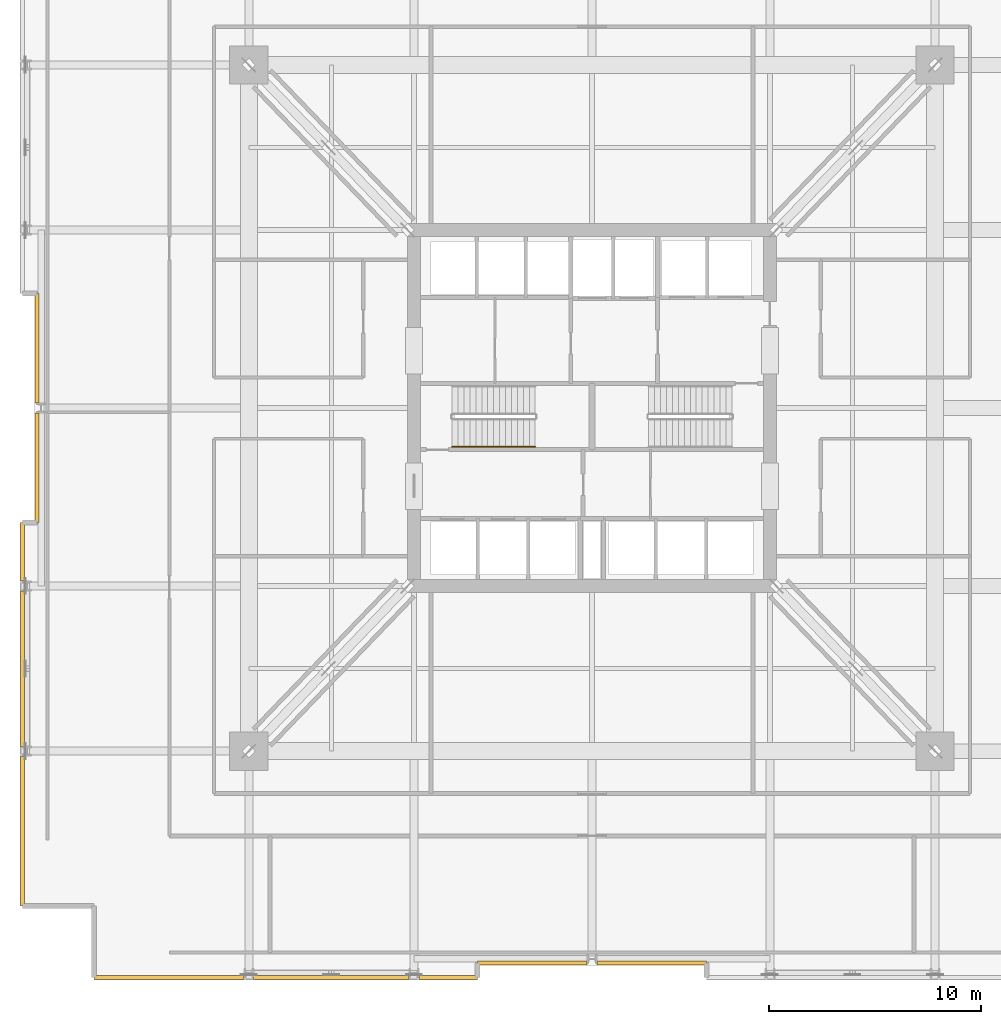
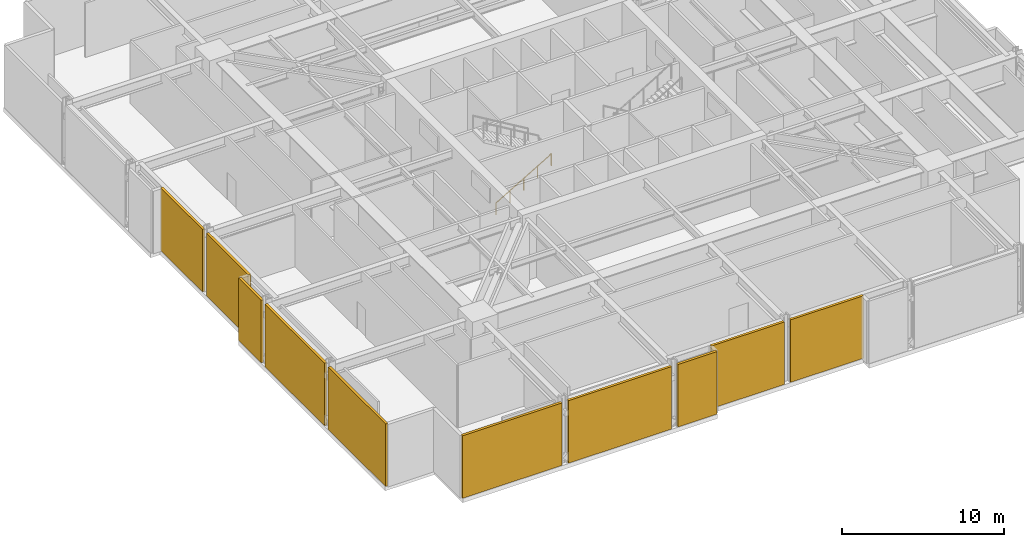
# One storey, part 10 of 13: 10 shading devices, 1 railing.
"""IFC4 building model written with IfcOpenShell, lengths in metres."""

from ifc_helpers import new_model, si_unit, direction, frame, origin, origin_2d, place, context, subcontext, project, spatial, rectangle, circle, extrude, material, layer, layer_set, type_object, element, save


model = new_model("IFC4")

# Units and contexts
model_context = context("Model", 3, precision=1e-05, world=origin(), true_north=direction((0.0, 1.0)))
body_context = subcontext(model_context, "Body", "Model", "MODEL_VIEW")
ifc_project = project(units=[si_unit("LENGTHUNIT", "METRE"), si_unit("AREAUNIT", "SQUARE_METRE"), si_unit("VOLUMEUNIT", "CUBIC_METRE"), si_unit("PLANEANGLEUNIT", "RADIAN"), si_unit("MASSUNIT", "GRAM", prefix="KILO")], contexts=[model_context])

# Site, building, storey
site_placement = place(None, origin())
site = spatial("IfcSite", under=ifc_project, at=site_placement, CompositionType="ELEMENT")
building_placement = place(site_placement, origin())
building = spatial("IfcBuilding", under=site, at=building_placement, Name="Drelvath Grand Hotel", CompositionType="ELEMENT")
storey_placement = place(building_placement, frame((0.0, 0.0, 82.199951171875)))
storey = spatial("IfcBuildingStorey", under=building, at=storey_placement, Name="L20", CompositionType="ELEMENT", Elevation=82.199951171875)

# Railing
ifc_material_1 = material(Name="Painted Steel S275", Category="steel")
railing_type = type_object("IfcRailingType", Name="Core Stair Wall Handrail 900", PredefinedType="HANDRAIL", material=ifc_material_1)
railing_placement = place(storey_placement, frame((-6.60009765625, 25.169921875, 0.166748046875)))
element("IfcRailing", 1, at=railing_placement, inside=storey, type_object=railing_type, Name="L20 ST-1 stair handrail 1", PredefinedType="HANDRAIL", context=body_context, shape_type="SweptSolid", body=[
    extrude(circle(Radius=0.02392578125, at=origin_2d()), frame((0.0, 0.0, 0.8759765625), z_axis=(0.859310244771, 0.0, 0.511454693235), x_axis=(0.0, 1.0, 0.0)), (0.0, 0.0, 1.0), 4.56201171875),
    extrude(circle(Radius=0.02099609375, at=origin_2d()), origin(), (0.0, 0.0, 1.0), 0.851806640625),
    extrude(circle(Radius=0.02099609375, at=origin_2d()), frame((0.97998046875, 0.0, 0.583251953125)), (0.0, 0.0, 1.0), 0.851806640625),
    extrude(circle(Radius=0.02099609375, at=origin_2d()), frame((1.9599609375, 0.0, 1.16650390625)), (0.0, 0.0, 1.0), 0.851806640625),
    extrude(circle(Radius=0.02099609375, at=origin_2d()), frame((2.940185546875, 0.0, 1.75)), (0.0, 0.0, 1.0), 0.851806640625),
    extrude(circle(Radius=0.02099609375, at=origin_2d()), frame((3.920166015625, 0.0, 2.333251953125)), (0.0, 0.0, 1.0), 0.851806640625),
])

# Shading devices
ifc_material_2 = material(Name="Pale-Metal Anodised Aluminium Louvre", Category="aluminium")
ifc_layer = layer(ifc_material_2, 0.179931640625)
ifc_layer_set = layer_set([ifc_layer], Name="Pale-Metal Anodised Aluminium Louvre")
shading_device_type = type_object("IfcShadingDeviceType", Name="Mechanical Acoustic Weather Louvre Pale-Metal 180", PredefinedType="USERDEFINED", material=ifc_layer_set)
shading_device_1_placement = place(storey_placement, frame((-26.8798828125, 7.035400390625, 0.0), z_axis=(0.0, 0.0, 1.0), x_axis=(0.0, 1.0, 0.0)))
element("IfcShadingDevice", 2, at=shading_device_1_placement, inside=storey, type_object=shading_device_type, Name="L20 Mechanical Plant Acoustic Louvre WS-1", ObjectType="LOUVRE", PredefinedType="USERDEFINED", context=body_context, shape_type="SweptSolid", body=[
    extrude(rectangle(XDim=7.07080078125, YDim=0.179931640625, at=origin_2d()), origin(), (0.0, 0.0, 1.0), 4.699951171875),
])
shading_device_2_placement = place(storey_placement, frame((-26.8798828125, 14.699951171875, 0.0), z_axis=(0.0, 0.0, 1.0), x_axis=(0.0, 1.0, 0.0)))
element("IfcShadingDevice", 3, at=shading_device_2_placement, inside=storey, type_object=shading_device_type, Name="L20 Mechanical Plant Acoustic Louvre WS-2", ObjectType="LOUVRE", PredefinedType="USERDEFINED", context=body_context, shape_type="SweptSolid", body=[
    extrude(rectangle(XDim=7.341796875, YDim=0.179931640625, at=origin_2d()), origin(), (0.0, 0.0, 1.0), 4.699951171875),
])
shading_device_3_placement = place(storey_placement, frame((-26.8798828125, 20.214599609375, 0.0), z_axis=(0.0, 0.0, 1.0), x_axis=(0.0, 1.0, 0.0)))
element("IfcShadingDevice", 4, at=shading_device_3_placement, inside=storey, type_object=shading_device_type, Name="L20 Mechanical Plant Acoustic Louvre WS-3", ObjectType="LOUVRE", PredefinedType="USERDEFINED", context=body_context, shape_type="SweptSolid", body=[
    extrude(rectangle(XDim=2.77099609375, YDim=0.179931640625, at=origin_2d()), origin(), (0.0, 0.0, 1.0), 4.699951171875),
])
for number, where, z_axis, x_axis, name in (
    (5, (-26.199951171875, 24.185546875, 0.0), (0.0, 0.0, 1.0), (0.0, 1.0, 0.0), "L20 Mechanical Plant Acoustic Louvre WM-1"),
    (6, (-26.199951171875, 29.814453125, 0.0), (0.0, 0.0, 1.0), (0.0, 1.0, 0.0), "L20 Mechanical Plant Acoustic Louvre WM-2"),
    (7, (-2.814697265625, 0.800048828125, 0.0), (0.0, 0.0, 1.0), (1.0, 0.0, 0.0), "L20 Mechanical Plant Acoustic Louvre SM-1"),
    (8, (2.814697265625, 0.800048828125, 0.0), (0.0, 0.0, 1.0), (1.0, 0.0, 0.0), "L20 Mechanical Plant Acoustic Louvre SM-2"),
):
    element("IfcShadingDevice", number, at=place(storey_placement, frame(where, z_axis=z_axis, x_axis=x_axis)), inside=storey, type_object=shading_device_type, Name=name, ObjectType="LOUVRE", PredefinedType="USERDEFINED", context=body_context, shape_type="SweptSolid", body=[
        extrude(rectangle(XDim=5.1708984375, YDim=0.179931640625, at=origin_2d()), origin(), (0.0, 0.0, 1.0), 4.699951171875),
    ])
shading_device_4_placement = place(storey_placement, frame((-19.964599609375, 0.1201171875, 0.0), z_axis=(0.0, 0.0, 1.0), x_axis=(1.0, 0.0, 0.0)))
element("IfcShadingDevice", 9, at=shading_device_4_placement, inside=storey, type_object=shading_device_type, Name="L20 Mechanical Plant Acoustic Louvre SW-1", ObjectType="LOUVRE", PredefinedType="USERDEFINED", context=body_context, shape_type="SweptSolid", body=[
    extrude(rectangle(XDim=7.07080078125, YDim=0.179931640625, at=origin_2d()), origin(), (0.0, 0.0, 1.0), 4.699951171875),
])
shading_device_5_placement = place(storey_placement, frame((-12.300048828125, 0.1201171875, 0.0), z_axis=(0.0, 0.0, 1.0), x_axis=(1.0, 0.0, 0.0)))
element("IfcShadingDevice", 10, at=shading_device_5_placement, inside=storey, type_object=shading_device_type, Name="L20 Mechanical Plant Acoustic Louvre SW-2", ObjectType="LOUVRE", PredefinedType="USERDEFINED", context=body_context, shape_type="SweptSolid", body=[
    extrude(rectangle(XDim=7.341796875, YDim=0.179931640625, at=origin_2d()), origin(), (0.0, 0.0, 1.0), 4.699951171875),
])
shading_device_6_placement = place(storey_placement, frame((-6.785400390625, 0.1201171875, 0.0), z_axis=(0.0, 0.0, 1.0), x_axis=(1.0, 0.0, 0.0)))
element("IfcShadingDevice", 11, at=shading_device_6_placement, inside=storey, type_object=shading_device_type, Name="L20 Mechanical Plant Acoustic Louvre SW-3", ObjectType="LOUVRE", PredefinedType="USERDEFINED", context=body_context, shape_type="SweptSolid", body=[
    extrude(rectangle(XDim=2.77099609375, YDim=0.179931640625, at=origin_2d()), origin(), (0.0, 0.0, 1.0), 4.699951171875),
])

save(model, "model.ifc")
